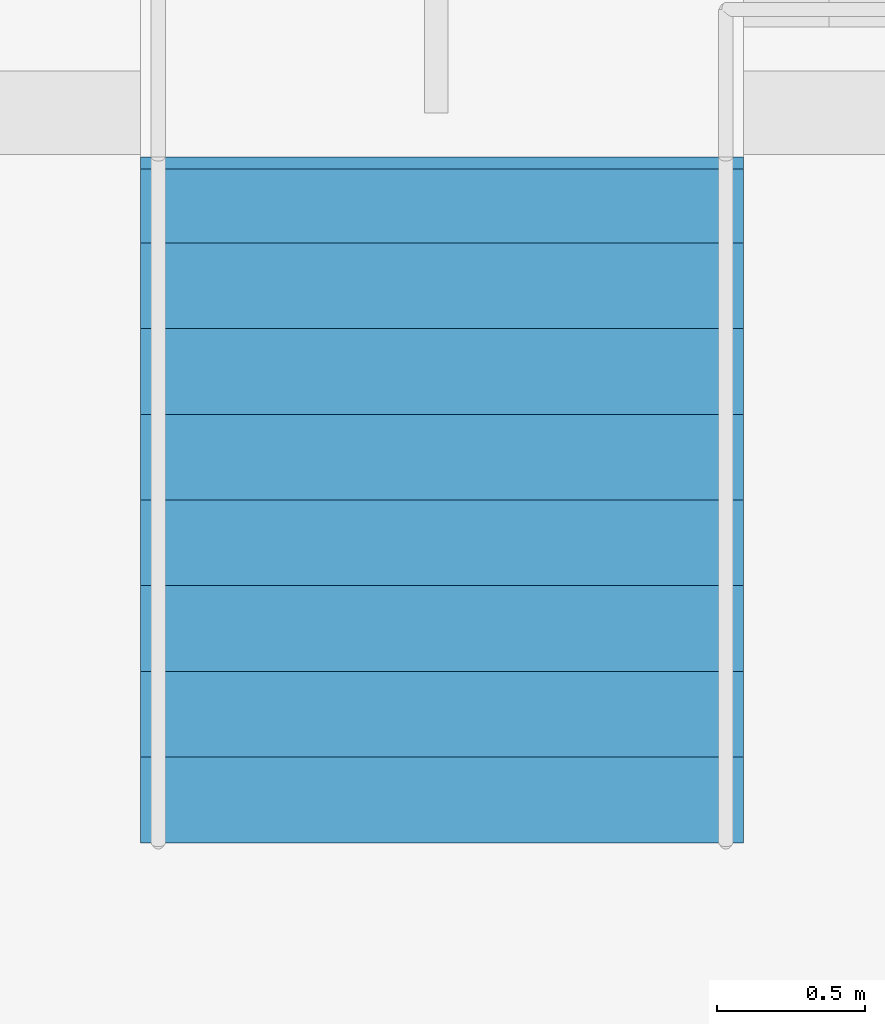
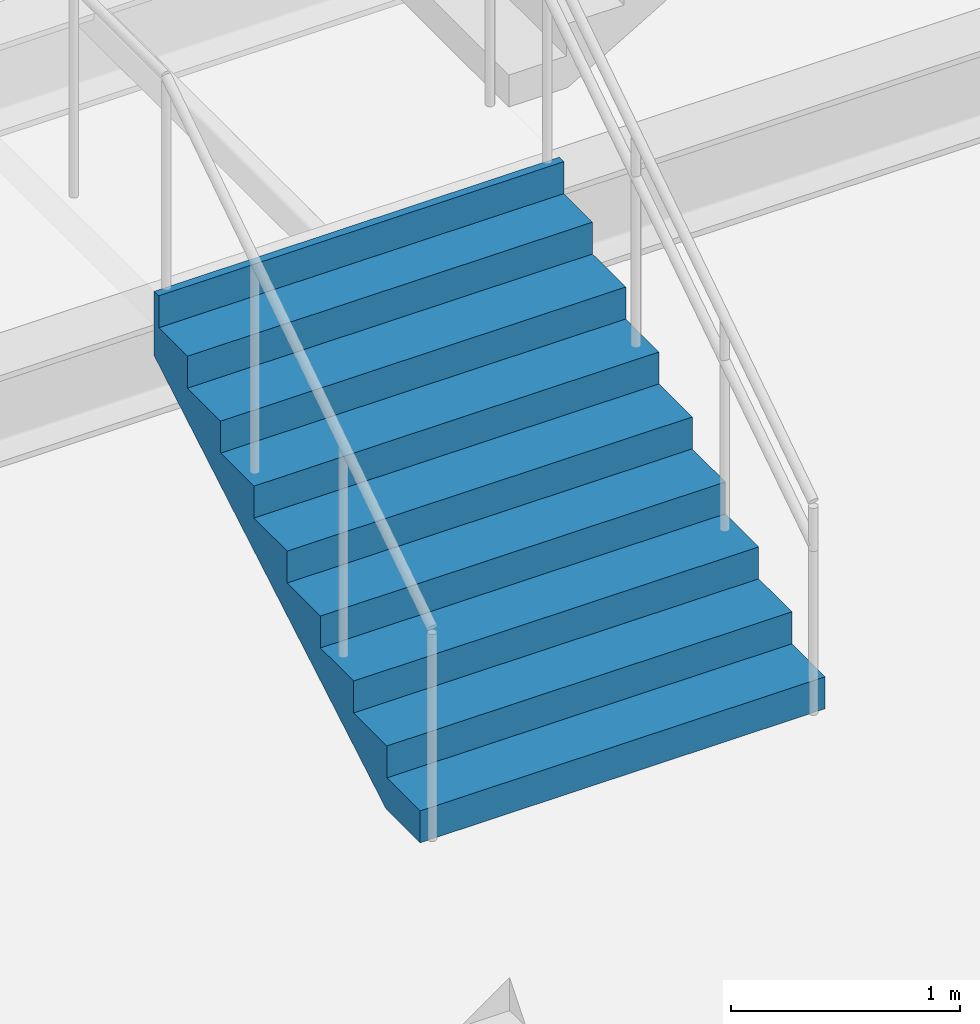
# One storey, part 47 of 55: 1 stair flight, 1 element without a shape of its own.
"""IFC4 building model written with IfcOpenShell, lengths in metres."""

from ifc_helpers import new_model, si_unit, direction, frame, origin, place, context, subcontext, project, spatial, triangles, material, type_object, element, aggregate, save


model = new_model("IFC4")

# Units and contexts
model_context = context("Model", 3, precision=1e-05, world=origin(), true_north=direction((0.0, 1.0)))
body_context = subcontext(model_context, "Body", "Model", "MODEL_VIEW")
ifc_project = project(units=[si_unit("LENGTHUNIT", "METRE"), si_unit("AREAUNIT", "SQUARE_METRE"), si_unit("VOLUMEUNIT", "CUBIC_METRE"), si_unit("PLANEANGLEUNIT", "RADIAN"), si_unit("MASSUNIT", "GRAM", prefix="KILO")], contexts=[model_context])

# Site, building, storey
site_placement = place(None, origin())
site = spatial("IfcSite", under=ifc_project, at=site_placement, CompositionType="ELEMENT")
building_placement = place(site_placement, origin())
building = spatial("IfcBuilding", under=site, at=building_placement, Name="Sillaruma Civic Art Gallery", CompositionType="ELEMENT")
storey_placement = place(building_placement, frame((0.0, 0.0, 37.739990234375)))
storey = spatial("IfcBuildingStorey", under=building, at=storey_placement, Name="L07", CompositionType="ELEMENT", Elevation=37.739990234375)

# Stair, stair flight
ifc_material = material(Name="Concrete H35 (35 MPa)", Category="concrete")
stair_type = type_object("IfcStairType", Name="STR-3F-27", PredefinedType="TWO_QUARTER_TURN_STAIR", material=ifc_material)
stair_placement = place(storey_placement, origin())
stair = element("IfcStair", 1, at=stair_placement, inside=storey, type_object=stair_type, Name="Monumental Gallery Feature Stair ST-G04 (L07)", PredefinedType="TWO_QUARTER_TURN_STAIR")
stair_flight_type = type_object("IfcStairFlightType", Name="SFL-STR-9", PredefinedType="STRAIGHT", material=ifc_material)
stair_flight_placement = place(storey_placement, frame((85.6201171875, 41.300048828125, 0.0), z_axis=(0.0, 0.0, 1.0), x_axis=(0.0, 1.0, 0.0)))
stair_flight = element("IfcStairFlight", 2, at=stair_flight_placement, type_object=stair_flight_type, Name="ST-G04 flight 1", NumberOfRisers=9, NumberOfTreads=8, PredefinedType="STRAIGHT", RiserHeight=0.17, TreadLength=0.29, context=body_context, shape_type="Tessellation", body=[
    triangles([(0.0, -1.02001953125, 0.0), (0.29, -1.02001953125, 0.0), (0.296482, -1.02001953125, 0.0), (0.58, -1.02001953125, 0.1662), (0.87, -1.02001953125, 0.3362), (1.16, -1.02001953125, 0.5062), (1.45, -1.02001953125, 0.6762), (1.74, -1.02001953125, 0.8462), (2.03, -1.02001953125, 1.0162), (2.280068, -1.02001953125, 1.162792), (2.320068, -1.02001953125, 1.18624), (2.320068, -1.02001953125, 1.53), (2.280068, -1.02001953125, 1.53), (2.280068, -1.02001953125, 1.36), (2.03, -1.02001953125, 1.36), (2.03, -1.02001953125, 1.19), (1.74, -1.02001953125, 1.19), (1.74, -1.02001953125, 1.02), (1.45, -1.02001953125, 1.02), (1.45, -1.02001953125, 0.85), (1.16, -1.02001953125, 0.85), (1.16, -1.02001953125, 0.68), (0.87, -1.02001953125, 0.68), (0.87, -1.02001953125, 0.51), (0.58, -1.02001953125, 0.51), (0.58, -1.02001953125, 0.34), (0.296482, -1.02001953125, 0.34), (0.29, -1.02001953125, 0.34), (0.29, -1.02001953125, 0.17), (0.0, -1.02001953125, 0.17), (0.0, -0.05, 0.0), (0.29, -0.05, 0.0), (0.296482, -0.05, 0.0), (0.58, -0.05, 0.1662), (0.87, -0.05, 0.3362), (1.16, -0.05, 0.5062), (1.45, -0.05, 0.6762), (1.74, -0.05, 0.8462), (2.03, -0.05, 1.0162), (2.280068, -0.05, 1.162792), (2.320068, -0.05, 1.18624), (2.320068, -0.05, 1.53), (2.280068, -0.05, 1.53), (2.280068, -0.05, 1.36), (2.03, -0.05, 1.36), (2.03, -0.05, 1.19), (1.74, -0.05, 1.19), (1.74, -0.05, 1.02), (1.45, -0.05, 1.02), (1.45, -0.05, 0.85), (1.16, -0.05, 0.85), (1.16, -0.05, 0.68), (0.87, -0.05, 0.68), (0.87, -0.05, 0.51), (0.58, -0.05, 0.51), (0.58, -0.05, 0.34), (0.296482, -0.05, 0.34), (0.29, -0.05, 0.34), (0.29, -0.05, 0.17), (0.0, -0.05, 0.17), (0.0, -0.0375, 0.0), (0.29, -0.0375, 0.0), (0.296482, -0.0375, 0.0), (0.58, -0.0375, 0.1662), (0.87, -0.0375, 0.3362), (1.16, -0.0375, 0.5062), (1.45, -0.0375, 0.6762), (1.74, -0.0375, 0.8462), (2.03, -0.0375, 1.0162), (2.280068, -0.0375, 1.162792), (2.320068, -0.0375, 1.18624), (2.320068, -0.0375, 1.53), (2.280068, -0.0375, 1.53), (2.280068, -0.0375, 1.36), (2.03, -0.0375, 1.36), (2.03, -0.0375, 1.19), (1.74, -0.0375, 1.19), (1.74, -0.0375, 1.02), (1.45, -0.0375, 1.02), (1.45, -0.0375, 0.85), (1.16, -0.0375, 0.85), (1.16, -0.0375, 0.68), (0.87, -0.0375, 0.68), (0.87, -0.0375, 0.51), (0.58, -0.0375, 0.51), (0.58, -0.0375, 0.34), (0.296482, -0.0375, 0.34), (0.29, -0.0375, 0.34), (0.29, -0.0375, 0.17), (0.0, -0.0375, 0.17), (0.0, -0.025, 0.0), (0.29, -0.025, 0.0), (0.296482, -0.025, 0.0), (0.58, -0.025, 0.1662), (0.87, -0.025, 0.3362), (1.16, -0.025, 0.5062), (1.45, -0.025, 0.6762), (1.74, -0.025, 0.8462), (2.03, -0.025, 1.0162), (2.280068, -0.025, 1.162792), (2.320068, -0.025, 1.18624), (2.320068, -0.025, 1.53), (2.280068, -0.025, 1.53), (2.280068, -0.025, 1.36), (2.03, -0.025, 1.36), (2.03, -0.025, 1.19), (1.74, -0.025, 1.19), (1.74, -0.025, 1.02), (1.45, -0.025, 1.02), (1.45, -0.025, 0.85), (1.16, -0.025, 0.85), (1.16, -0.025, 0.68), (0.87, -0.025, 0.68), (0.87, -0.025, 0.51), (0.58, -0.025, 0.51), (0.58, -0.025, 0.34), (0.296482, -0.025, 0.34), (0.29, -0.025, 0.34), (0.29, -0.025, 0.17), (0.0, -0.025, 0.17), (0.0, -0.0125, 0.0), (0.29, -0.0125, 0.0), (0.296482, -0.0125, 0.0), (0.58, -0.0125, 0.1662), (0.87, -0.0125, 0.3362), (1.16, -0.0125, 0.5062), (1.45, -0.0125, 0.6762), (1.74, -0.0125, 0.8462), (2.03, -0.0125, 1.0162), (2.280068, -0.0125, 1.162792), (2.320068, -0.0125, 1.18624), (2.320068, -0.0125, 1.53), (2.280068, -0.0125, 1.53), (2.280068, -0.0125, 1.36), (2.03, -0.0125, 1.36), (2.03, -0.0125, 1.19), (1.74, -0.0125, 1.19), (1.74, -0.0125, 1.02), (1.45, -0.0125, 1.02), (1.45, -0.0125, 0.85), (1.16, -0.0125, 0.85), (1.16, -0.0125, 0.68), (0.87, -0.0125, 0.68), (0.87, -0.0125, 0.51), (0.58, -0.0125, 0.51), (0.58, -0.0125, 0.34), (0.296482, -0.0125, 0.34), (0.29, -0.0125, 0.34), (0.29, -0.0125, 0.17), (0.0, -0.0125, 0.17), (0.0, 0.0, 0.0), (0.29, 0.0, 0.0), (0.296482, 0.0, 0.0), (0.58, 0.0, 0.1662), (0.87, 0.0, 0.3362), (1.16, 0.0, 0.5062), (1.45, 0.0, 0.6762), (1.74, 0.0, 0.8462), (2.03, 0.0, 1.0162), (2.280068, 0.0, 1.162792), (2.320068, 0.0, 1.18624), (2.320068, 0.0, 1.53), (2.280068, 0.0, 1.53), (2.280068, 0.0, 1.36), (2.03, 0.0, 1.36), (2.03, 0.0, 1.19), (1.74, 0.0, 1.19), (1.74, 0.0, 1.02), (1.45, 0.0, 1.02), (1.45, 0.0, 0.85), (1.16, 0.0, 0.85), (1.16, 0.0, 0.68), (0.87, 0.0, 0.68), (0.87, 0.0, 0.51), (0.58, 0.0, 0.51), (0.58, 0.0, 0.34), (0.296482, 0.0, 0.34), (0.29, 0.0, 0.34), (0.29, 0.0, 0.17), (0.0, 0.0, 0.17), (0.0, 0.0125, 0.0), (0.29, 0.0125, 0.0), (0.296482, 0.0125, 0.0), (0.58, 0.0125, 0.1662), (0.87, 0.0125, 0.3362), (1.16, 0.0125, 0.5062), (1.45, 0.0125, 0.6762), (1.74, 0.0125, 0.8462), (2.03, 0.0125, 1.0162), (2.280068, 0.0125, 1.162792), (2.320068, 0.0125, 1.18624), (2.320068, 0.0125, 1.53), (2.280068, 0.0125, 1.53), (2.280068, 0.0125, 1.36), (2.03, 0.0125, 1.36), (2.03, 0.0125, 1.19), (1.74, 0.0125, 1.19), (1.74, 0.0125, 1.02), (1.45, 0.0125, 1.02), (1.45, 0.0125, 0.85), (1.16, 0.0125, 0.85), (1.16, 0.0125, 0.68), (0.87, 0.0125, 0.68), (0.87, 0.0125, 0.51), (0.58, 0.0125, 0.51), (0.58, 0.0125, 0.34), (0.296482, 0.0125, 0.34), (0.29, 0.0125, 0.34), (0.29, 0.0125, 0.17), (0.0, 0.0125, 0.17), (0.0, 0.025, 0.0), (0.29, 0.025, 0.0), (0.296482, 0.025, 0.0), (0.58, 0.025, 0.1662), (0.87, 0.025, 0.3362), (1.16, 0.025, 0.5062), (1.45, 0.025, 0.6762), (1.74, 0.025, 0.8462), (2.03, 0.025, 1.0162), (2.280068, 0.025, 1.162792), (2.320068, 0.025, 1.18624), (2.320068, 0.025, 1.53), (2.280068, 0.025, 1.53), (2.280068, 0.025, 1.36), (2.03, 0.025, 1.36), (2.03, 0.025, 1.19), (1.74, 0.025, 1.19), (1.74, 0.025, 1.02), (1.45, 0.025, 1.02), (1.45, 0.025, 0.85), (1.16, 0.025, 0.85), (1.16, 0.025, 0.68), (0.87, 0.025, 0.68), (0.87, 0.025, 0.51), (0.58, 0.025, 0.51), (0.58, 0.025, 0.34), (0.296482, 0.025, 0.34), (0.29, 0.025, 0.34), (0.29, 0.025, 0.17), (0.0, 0.025, 0.17), (0.0, 0.0375, 0.0), (0.29, 0.0375, 0.0), (0.296482, 0.0375, 0.0), (0.58, 0.0375, 0.1662), (0.87, 0.0375, 0.3362), (1.16, 0.0375, 0.5062), (1.45, 0.0375, 0.6762), (1.74, 0.0375, 0.8462), (2.03, 0.0375, 1.0162), (2.280068, 0.0375, 1.162792), (2.320068, 0.0375, 1.18624), (2.320068, 0.0375, 1.53), (2.280068, 0.0375, 1.53), (2.280068, 0.0375, 1.36), (2.03, 0.0375, 1.36), (2.03, 0.0375, 1.19), (1.74, 0.0375, 1.19), (1.74, 0.0375, 1.02), (1.45, 0.0375, 1.02), (1.45, 0.0375, 0.85), (1.16, 0.0375, 0.85), (1.16, 0.0375, 0.68), (0.87, 0.0375, 0.68), (0.87, 0.0375, 0.51), (0.58, 0.0375, 0.51), (0.58, 0.0375, 0.34), (0.296482, 0.0375, 0.34), (0.29, 0.0375, 0.34), (0.29, 0.0375, 0.17), (0.0, 0.0375, 0.17), (0.0, 0.05, 0.0), (0.29, 0.05, 0.0), (0.296482, 0.05, 0.0), (0.58, 0.05, 0.1662), (0.87, 0.05, 0.3362), (1.16, 0.05, 0.5062), (1.45, 0.05, 0.6762), (1.74, 0.05, 0.8462), (2.03, 0.05, 1.0162), (2.280068, 0.05, 1.162792), (2.320068, 0.05, 1.18624), (2.320068, 0.05, 1.53), (2.280068, 0.05, 1.53), (2.280068, 0.05, 1.36), (2.03, 0.05, 1.36), (2.03, 0.05, 1.19), (1.74, 0.05, 1.19), (1.74, 0.05, 1.02), (1.45, 0.05, 1.02), (1.45, 0.05, 0.85), (1.16, 0.05, 0.85), (1.16, 0.05, 0.68), (0.87, 0.05, 0.68), (0.87, 0.05, 0.51), (0.58, 0.05, 0.51), (0.58, 0.05, 0.34), (0.296482, 0.05, 0.34), (0.29, 0.05, 0.34), (0.29, 0.05, 0.17), (0.0, 0.05, 0.17), (0.0, 1.02001953125, 0.0), (0.29, 1.02001953125, 0.0), (0.296482, 1.02001953125, 0.0), (0.58, 1.02001953125, 0.1662), (0.87, 1.02001953125, 0.3362), (1.16, 1.02001953125, 0.5062), (1.45, 1.02001953125, 0.6762), (1.74, 1.02001953125, 0.8462), (2.03, 1.02001953125, 1.0162), (2.280068, 1.02001953125, 1.162792), (2.320068, 1.02001953125, 1.18624), (2.320068, 1.02001953125, 1.53), (2.280068, 1.02001953125, 1.53), (2.280068, 1.02001953125, 1.36), (2.03, 1.02001953125, 1.36), (2.03, 1.02001953125, 1.19), (1.74, 1.02001953125, 1.19), (1.74, 1.02001953125, 1.02), (1.45, 1.02001953125, 1.02), (1.45, 1.02001953125, 0.85), (1.16, 1.02001953125, 0.85), (1.16, 1.02001953125, 0.68), (0.87, 1.02001953125, 0.68), (0.87, 1.02001953125, 0.51), (0.58, 1.02001953125, 0.51), (0.58, 1.02001953125, 0.34), (0.296482, 1.02001953125, 0.34), (0.29, 1.02001953125, 0.34), (0.29, 1.02001953125, 0.17), (0.0, 1.02001953125, 0.17)], [[1, 2, 29], [1, 29, 30], [2, 3, 27], [2, 27, 29], [29, 27, 28], [3, 4, 26], [3, 26, 27], [4, 5, 24], [4, 24, 26], [26, 24, 25], [5, 6, 22], [5, 22, 24], [24, 22, 23], [6, 7, 20], [6, 20, 22], [22, 20, 21], [7, 8, 18], [7, 18, 20], [20, 18, 19], [8, 9, 16], [8, 16, 18], [18, 16, 17], [9, 10, 14], [9, 14, 16], [16, 14, 15], [10, 11, 12], [10, 12, 14], [14, 12, 13], [329, 302, 301], [330, 329, 301], [327, 303, 302], [329, 327, 302], [328, 327, 329], [326, 304, 303], [327, 326, 303], [324, 305, 304], [326, 324, 304], [325, 324, 326], [322, 306, 305], [324, 322, 305], [323, 322, 324], [320, 307, 306], [322, 320, 306], [321, 320, 322], [318, 308, 307], [320, 318, 307], [319, 318, 320], [316, 309, 308], [318, 316, 308], [317, 316, 318], [314, 310, 309], [316, 314, 309], [315, 314, 316], [312, 311, 310], [314, 312, 310], [313, 312, 314], [2, 1, 31], [2, 31, 32], [3, 2, 32], [3, 32, 33], [4, 3, 33], [4, 33, 34], [5, 4, 34], [5, 34, 35], [6, 5, 35], [6, 35, 36], [7, 6, 36], [7, 36, 37], [8, 7, 37], [8, 37, 38], [9, 8, 38], [9, 38, 39], [10, 9, 39], [10, 39, 40], [11, 10, 40], [11, 40, 41], [12, 11, 41], [12, 41, 42], [13, 12, 42], [13, 42, 43], [14, 13, 43], [14, 43, 44], [15, 14, 44], [15, 44, 45], [16, 15, 45], [16, 45, 46], [17, 16, 46], [17, 46, 47], [18, 17, 47], [18, 47, 48], [19, 18, 48], [19, 48, 49], [20, 19, 49], [20, 49, 50], [21, 20, 50], [21, 50, 51], [22, 21, 51], [22, 51, 52], [23, 22, 52], [23, 52, 53], [24, 23, 53], [24, 53, 54], [25, 24, 54], [25, 54, 55], [26, 25, 55], [26, 55, 56], [27, 26, 56], [27, 56, 57], [28, 27, 57], [28, 57, 58], [29, 28, 58], [29, 58, 59], [30, 29, 59], [30, 59, 60], [1, 30, 60], [1, 60, 31], [32, 31, 61], [32, 61, 62], [33, 32, 62], [33, 62, 63], [34, 33, 63], [34, 63, 64], [35, 34, 64], [35, 64, 65], [36, 35, 65], [36, 65, 66], [37, 36, 66], [37, 66, 67], [38, 37, 67], [38, 67, 68], [39, 38, 68], [39, 68, 69], [40, 39, 69], [40, 69, 70], [41, 40, 70], [41, 70, 71], [42, 41, 71], [42, 71, 72], [43, 42, 72], [43, 72, 73], [44, 43, 73], [44, 73, 74], [45, 44, 74], [45, 74, 75], [46, 45, 75], [46, 75, 76], [47, 46, 76], [47, 76, 77], [48, 47, 77], [48, 77, 78], [49, 48, 78], [49, 78, 79], [50, 49, 79], [50, 79, 80], [51, 50, 80], [51, 80, 81], [52, 51, 81], [52, 81, 82], [53, 52, 82], [53, 82, 83], [54, 53, 83], [54, 83, 84], [55, 54, 84], [55, 84, 85], [56, 55, 85], [56, 85, 86], [57, 56, 86], [57, 86, 87], [58, 57, 87], [58, 87, 88], [59, 58, 88], [59, 88, 89], [60, 59, 89], [60, 89, 90], [31, 60, 90], [31, 90, 61], [62, 61, 91], [62, 91, 92], [63, 62, 92], [63, 92, 93], [64, 63, 93], [64, 93, 94], [65, 64, 94], [65, 94, 95], [66, 65, 95], [66, 95, 96], [67, 66, 96], [67, 96, 97], [68, 67, 97], [68, 97, 98], [69, 68, 98], [69, 98, 99], [70, 69, 99], [70, 99, 100], [71, 70, 100], [71, 100, 101], [72, 71, 101], [72, 101, 102], [73, 72, 102], [73, 102, 103], [74, 73, 103], [74, 103, 104], [75, 74, 104], [75, 104, 105], [76, 75, 105], [76, 105, 106], [77, 76, 106], [77, 106, 107], [78, 77, 107], [78, 107, 108], [79, 78, 108], [79, 108, 109], [80, 79, 109], [80, 109, 110], [81, 80, 110], [81, 110, 111], [82, 81, 111], [82, 111, 112], [83, 82, 112], [83, 112, 113], [84, 83, 113], [84, 113, 114], [85, 84, 114], [85, 114, 115], [86, 85, 115], [86, 115, 116], [87, 86, 116], [87, 116, 117], [88, 87, 117], [88, 117, 118], [89, 88, 118], [89, 118, 119], [90, 89, 119], [90, 119, 120], [61, 90, 120], [61, 120, 91], [92, 91, 121], [92, 121, 122], [93, 92, 122], [93, 122, 123], [94, 93, 123], [94, 123, 124], [95, 94, 124], [95, 124, 125], [96, 95, 125], [96, 125, 126], [97, 96, 126], [97, 126, 127], [98, 97, 127], [98, 127, 128], [99, 98, 128], [99, 128, 129], [100, 99, 129], [100, 129, 130], [101, 100, 130], [101, 130, 131], [102, 101, 131], [102, 131, 132], [103, 102, 132], [103, 132, 133], [104, 103, 133], [104, 133, 134], [105, 104, 134], [105, 134, 135], [106, 105, 135], [106, 135, 136], [107, 106, 136], [107, 136, 137], [108, 107, 137], [108, 137, 138], [109, 108, 138], [109, 138, 139], [110, 109, 139], [110, 139, 140], [111, 110, 140], [111, 140, 141], [112, 111, 141], [112, 141, 142], [113, 112, 142], [113, 142, 143], [114, 113, 143], [114, 143, 144], [115, 114, 144], [115, 144, 145], [116, 115, 145], [116, 145, 146], [117, 116, 146], [117, 146, 147], [118, 117, 147], [118, 147, 148], [119, 118, 148], [119, 148, 149], [120, 119, 149], [120, 149, 150], [91, 120, 150], [91, 150, 121], [122, 121, 151], [122, 151, 152], [123, 122, 152], [123, 152, 153], [124, 123, 153], [124, 153, 154], [125, 124, 154], [125, 154, 155], [126, 125, 155], [126, 155, 156], [127, 126, 156], [127, 156, 157], [128, 127, 157], [128, 157, 158], [129, 128, 158], [129, 158, 159], [130, 129, 159], [130, 159, 160], [131, 130, 160], [131, 160, 161], [132, 131, 161], [132, 161, 162], [133, 132, 162], [133, 162, 163], [134, 133, 163], [134, 163, 164], [135, 134, 164], [135, 164, 165], [136, 135, 165], [136, 165, 166], [137, 136, 166], [137, 166, 167], [138, 137, 167], [138, 167, 168], [139, 138, 168], [139, 168, 169], [140, 139, 169], [140, 169, 170], [141, 140, 170], [141, 170, 171], [142, 141, 171], [142, 171, 172], [143, 142, 172], [143, 172, 173], [144, 143, 173], [144, 173, 174], [145, 144, 174], [145, 174, 175], [146, 145, 175], [146, 175, 176], [147, 146, 176], [147, 176, 177], [148, 147, 177], [148, 177, 178], [149, 148, 178], [149, 178, 179], [150, 149, 179], [150, 179, 180], [121, 150, 180], [121, 180, 151], [152, 151, 181], [152, 181, 182], [153, 152, 182], [153, 182, 183], [154, 153, 183], [154, 183, 184], [155, 154, 184], [155, 184, 185], [156, 155, 185], [156, 185, 186], [157, 156, 186], [157, 186, 187], [158, 157, 187], [158, 187, 188], [159, 158, 188], [159, 188, 189], [160, 159, 189], [160, 189, 190], [161, 160, 190], [161, 190, 191], [162, 161, 191], [162, 191, 192], [163, 162, 192], [163, 192, 193], [164, 163, 193], [164, 193, 194], [165, 164, 194], [165, 194, 195], [166, 165, 195], [166, 195, 196], [167, 166, 196], [167, 196, 197], [168, 167, 197], [168, 197, 198], [169, 168, 198], [169, 198, 199], [170, 169, 199], [170, 199, 200], [171, 170, 200], [171, 200, 201], [172, 171, 201], [172, 201, 202], [173, 172, 202], [173, 202, 203], [174, 173, 203], [174, 203, 204], [175, 174, 204], [175, 204, 205], [176, 175, 205], [176, 205, 206], [177, 176, 206], [177, 206, 207], [178, 177, 207], [178, 207, 208], [179, 178, 208], [179, 208, 209], [180, 179, 209], [180, 209, 210], [151, 180, 210], [151, 210, 181], [182, 181, 211], [182, 211, 212], [183, 182, 212], [183, 212, 213], [184, 183, 213], [184, 213, 214], [185, 184, 214], [185, 214, 215], [186, 185, 215], [186, 215, 216], [187, 186, 216], [187, 216, 217], [188, 187, 217], [188, 217, 218], [189, 188, 218], [189, 218, 219], [190, 189, 219], [190, 219, 220], [191, 190, 220], [191, 220, 221], [192, 191, 221], [192, 221, 222], [193, 192, 222], [193, 222, 223], [194, 193, 223], [194, 223, 224], [195, 194, 224], [195, 224, 225], [196, 195, 225], [196, 225, 226], [197, 196, 226], [197, 226, 227], [198, 197, 227], [198, 227, 228], [199, 198, 228], [199, 228, 229], [200, 199, 229], [200, 229, 230], [201, 200, 230], [201, 230, 231], [202, 201, 231], [202, 231, 232], [203, 202, 232], [203, 232, 233], [204, 203, 233], [204, 233, 234], [205, 204, 234], [205, 234, 235], [206, 205, 235], [206, 235, 236], [207, 206, 236], [207, 236, 237], [208, 207, 237], [208, 237, 238], [209, 208, 238], [209, 238, 239], [210, 209, 239], [210, 239, 240], [181, 210, 240], [181, 240, 211], [212, 211, 241], [212, 241, 242], [213, 212, 242], [213, 242, 243], [214, 213, 243], [214, 243, 244], [215, 214, 244], [215, 244, 245], [216, 215, 245], [216, 245, 246], [217, 216, 246], [217, 246, 247], [218, 217, 247], [218, 247, 248], [219, 218, 248], [219, 248, 249], [220, 219, 249], [220, 249, 250], [221, 220, 250], [221, 250, 251], [222, 221, 251], [222, 251, 252], [223, 222, 252], [223, 252, 253], [224, 223, 253], [224, 253, 254], [225, 224, 254], [225, 254, 255], [226, 225, 255], [226, 255, 256], [227, 226, 256], [227, 256, 257], [228, 227, 257], [228, 257, 258], [229, 228, 258], [229, 258, 259], [230, 229, 259], [230, 259, 260], [231, 230, 260], [231, 260, 261], [232, 231, 261], [232, 261, 262], [233, 232, 262], [233, 262, 263], [234, 233, 263], [234, 263, 264], [235, 234, 264], [235, 264, 265], [236, 235, 265], [236, 265, 266], [237, 236, 266], [237, 266, 267], [238, 237, 267], [238, 267, 268], [239, 238, 268], [239, 268, 269], [240, 239, 269], [240, 269, 270], [211, 240, 270], [211, 270, 241], [242, 241, 271], [242, 271, 272], [243, 242, 272], [243, 272, 273], [244, 243, 273], [244, 273, 274], [245, 244, 274], [245, 274, 275], [246, 245, 275], [246, 275, 276], [247, 246, 276], [247, 276, 277], [248, 247, 277], [248, 277, 278], [249, 248, 278], [249, 278, 279], [250, 249, 279], [250, 279, 280], [251, 250, 280], [251, 280, 281], [252, 251, 281], [252, 281, 282], [253, 252, 282], [253, 282, 283], [254, 253, 283], [254, 283, 284], [255, 254, 284], [255, 284, 285], [256, 255, 285], [256, 285, 286], [257, 256, 286], [257, 286, 287], [258, 257, 287], [258, 287, 288], [259, 258, 288], [259, 288, 289], [260, 259, 289], [260, 289, 290], [261, 260, 290], [261, 290, 291], [262, 261, 291], [262, 291, 292], [263, 262, 292], [263, 292, 293], [264, 263, 293], [264, 293, 294], [265, 264, 294], [265, 294, 295], [266, 265, 295], [266, 295, 296], [267, 266, 296], [267, 296, 297], [268, 267, 297], [268, 297, 298], [269, 268, 298], [269, 298, 299], [270, 269, 299], [270, 299, 300], [241, 270, 300], [241, 300, 271], [272, 271, 301], [272, 301, 302], [273, 272, 302], [273, 302, 303], [274, 273, 303], [274, 303, 304], [275, 274, 304], [275, 304, 305], [276, 275, 305], [276, 305, 306], [277, 276, 306], [277, 306, 307], [278, 277, 307], [278, 307, 308], [279, 278, 308], [279, 308, 309], [280, 279, 309], [280, 309, 310], [281, 280, 310], [281, 310, 311], [282, 281, 311], [282, 311, 312], [283, 282, 312], [283, 312, 313], [284, 283, 313], [284, 313, 314], [285, 284, 314], [285, 314, 315], [286, 285, 315], [286, 315, 316], [287, 286, 316], [287, 316, 317], [288, 287, 317], [288, 317, 318], [289, 288, 318], [289, 318, 319], [290, 289, 319], [290, 319, 320], [291, 290, 320], [291, 320, 321], [292, 291, 321], [292, 321, 322], [293, 292, 322], [293, 322, 323], [294, 293, 323], [294, 323, 324], [295, 294, 324], [295, 324, 325], [296, 295, 325], [296, 325, 326], [297, 296, 326], [297, 326, 327], [298, 297, 327], [298, 327, 328], [299, 298, 328], [299, 328, 329], [300, 299, 329], [300, 329, 330], [271, 300, 330], [271, 330, 301]], closed=True),
])
aggregate(stair, [stair_flight])

save(model, "model.ifc")
